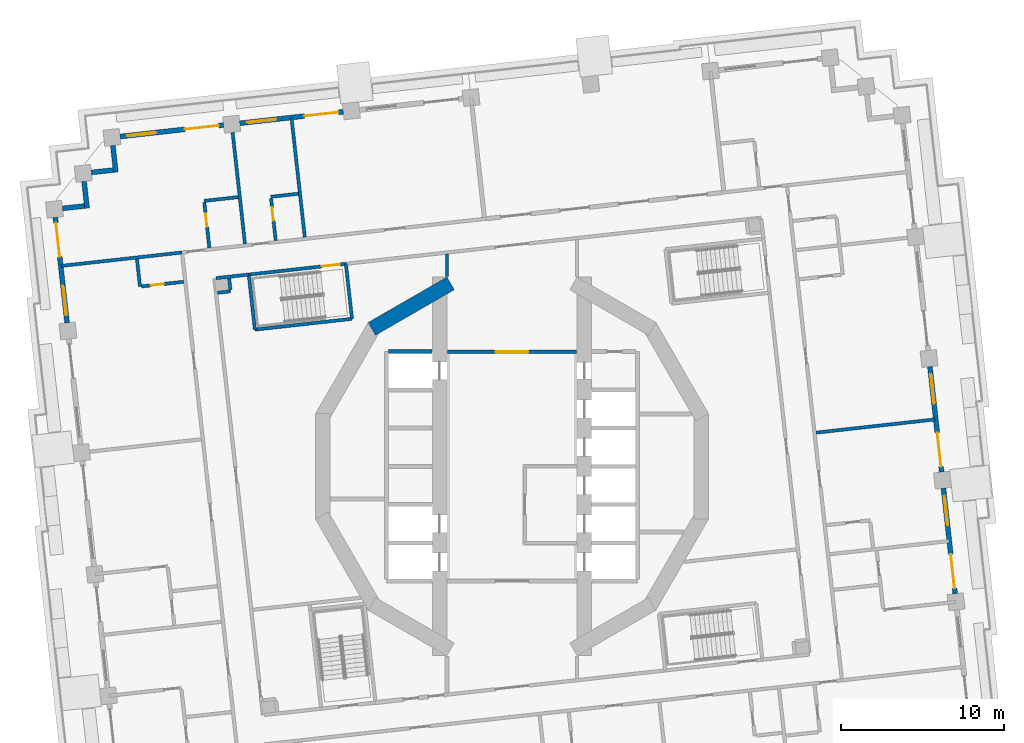
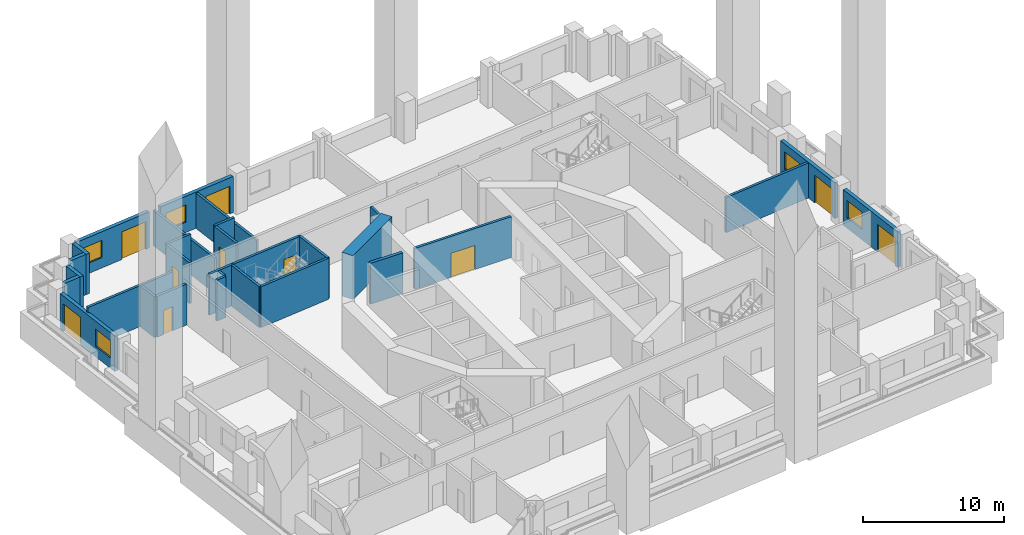
# One storey, part 7 of 20: 30 walls, 10 doors, 5 windows, 15 openings.
"""IFC4 building model written with IfcOpenShell, lengths in metres."""

import ifcopenshell
import ifcopenshell.guid

model = None  # the IFC model being written
_history = None  # IfcOwnerHistory: only IFC2X3 demands one
_inside = {}  # id of a spatial element -> (the spatial element, [elements in it])
_under = {}  # id of a project, library or spatial element -> (it, [spatial elements below it])
_declared = {}  # id of a project -> (the project, [libraries it declares])
_typed = {}  # id of a type object -> (the type object, [elements of that type])
_made_of = {}  # id of a material, layer set ... -> (it, [elements and type objects made of it])


def new_model(schema):
    """Start an empty IFC model of exactly this schema.

    Asked for "IFC4X3", IfcOpenShell would pick the latest addendum, in which some entities
    have other attributes; the version numbers below select the first issue.
    IFC2X3 requires an IfcOwnerHistory on every rooted entity: one is made here for all.
    """
    global model, _history
    if schema == "IFC4X3":
        model = ifcopenshell.file(schema_version=(4, 3, 0, 0))
    else:
        model = ifcopenshell.file(schema=schema)
    _inside.clear()
    _under.clear()
    _declared.clear()
    _typed.clear()
    _made_of.clear()
    _history = None
    if model.schema == "IFC2X3":
        org = make("IfcOrganization", Name="unknown")
        user = make(
            "IfcPersonAndOrganization",
            ThePerson=make("IfcPerson", FamilyName="unknown"),
            TheOrganization=org,
        )
        app = make(
            "IfcApplication",
            ApplicationDeveloper=org,
            Version="unknown",
            ApplicationFullName="unknown",
            ApplicationIdentifier="unknown",
        )
        _history = make(
            "IfcOwnerHistory",
            OwningUser=user,
            OwningApplication=app,
            ChangeAction="ADDED",
            CreationDate=0,
        )
    return model


def make(cls, **values):
    """One entity of the class cls with the attributes given. An attribute that is None is left unset."""
    return model.create_entity(
        cls, **{name: value for name, value in values.items() if value is not None}
    )


def rooted(cls, **values):
    """An entity with a GlobalId (a new one), such as an element, a storey or a relation."""
    return make(cls, GlobalId=ifcopenshell.guid.new(), OwnerHistory=_history, **values)


def si_unit(unit_type, name, prefix=None):
    """IfcSIUnit, for example si_unit("LENGTHUNIT", "METRE", prefix="MILLI")."""
    return make("IfcSIUnit", UnitType=unit_type, Prefix=prefix, Name=name)


def assignment(units):
    """IfcUnitAssignment: the units of a project."""
    return None if units is None else make("IfcUnitAssignment", Units=units)


def point(xyz):
    """IfcCartesianPoint."""
    return None if xyz is None else make("IfcCartesianPoint", Coordinates=xyz)


def direction(xyz):
    """IfcDirection."""
    return None if xyz is None else make("IfcDirection", DirectionRatios=xyz)


def frame(location, z_axis=None, x_axis=None):
    """IfcAxis2Placement3D, a coordinate frame: its origin and axes. An axis left out is left unset."""
    return make(
        "IfcAxis2Placement3D",
        Location=point(location),
        Axis=direction(z_axis),
        RefDirection=direction(x_axis),
    )


def frame_2d(location, x_axis=None):
    """IfcAxis2Placement2D, a coordinate frame in the plane: its origin and x axis."""
    return make(
        "IfcAxis2Placement2D", Location=point(location), RefDirection=direction(x_axis)
    )


def origin():
    """The frame at (0, 0, 0) with its axes left unset."""
    return frame((0.0, 0.0, 0.0))


def place(relative_to, where):
    """IfcLocalPlacement: puts the frame where relative to a parent placement (None: the world)."""
    return make(
        "IfcLocalPlacement", PlacementRelTo=relative_to, RelativePlacement=where
    )


def context(
    kind, dimensions, precision=None, world=None, true_north=None, identifier=None
):
    """IfcGeometricRepresentationContext, for example the 3D "Model" context."""
    return make(
        "IfcGeometricRepresentationContext",
        ContextIdentifier=identifier,
        ContextType=kind,
        CoordinateSpaceDimension=dimensions,
        Precision=precision,
        WorldCoordinateSystem=world,
        TrueNorth=true_north,
    )


def subcontext(parent, identifier, kind, view, scale=None):
    """IfcGeometricRepresentationSubContext, for example "Body" below "Model"."""
    return make(
        "IfcGeometricRepresentationSubContext",
        ContextIdentifier=identifier,
        ContextType=kind,
        ParentContext=parent,
        TargetScale=scale,
        TargetView=view,
    )


def project(units=None, contexts=None):
    """IfcProject with its units and contexts."""
    return rooted(
        "IfcProject",
        Name="project",
        RepresentationContexts=contexts,
        UnitsInContext=assignment(units),
    )


def spatial(cls, under=None, at=None, **own):
    """A site, building, storey or space (cls), placed at a placement, below another one or the project."""
    s = rooted(cls, ObjectPlacement=at, **own)
    if under is not None:
        _under.setdefault(under.id(), (under, []))[1].append(s)
    return s


def profile(cls, at=None, kind="AREA", **sizes):
    """A parametric profile (cls). Its sizes go by their IFC names, for example OverallWidth=200.0."""
    return make(cls, ProfileType=kind, Position=at, **sizes)


def rectangle(**sizes):
    """IfcRectangleProfileDef."""
    return profile("IfcRectangleProfileDef", **sizes)


def extrude(swept, where, along, depth):
    """IfcExtrudedAreaSolid: the profile swept, set in the frame where, extruded along a direction by depth."""
    return make(
        "IfcExtrudedAreaSolid",
        SweptArea=swept,
        Position=where,
        ExtrudedDirection=direction(along),
        Depth=depth,
    )


def shape(context_of_items, identifier, shape_type, items):
    """IfcShapeRepresentation: the items that make up one representation, for example the "Body"."""
    return make(
        "IfcShapeRepresentation",
        ContextOfItems=context_of_items,
        RepresentationIdentifier=identifier,
        RepresentationType=shape_type,
        Items=items,
    )


def material(Name=None, Category=None):
    """IfcMaterial."""
    return make("IfcMaterial", Name=Name, Category=Category)


def layer(
    of_material, thickness, ventilated=None, Name=None, Category=None, Priority=None
):
    """IfcMaterialLayer: one layer of a wall or slab, of a material (None: an air gap)."""
    return make(
        "IfcMaterialLayer",
        Material=of_material,
        LayerThickness=thickness,
        IsVentilated=ventilated,
        Name=Name,
        Category=Category,
        Priority=Priority,
    )


def layer_set(layers, Name=None):
    """IfcMaterialLayerSet."""
    return make("IfcMaterialLayerSet", MaterialLayers=layers, LayerSetName=Name)


def made_of(thing, what):
    """Note that an element or type object is made of a material, layer set ...; save() writes the relation."""
    if what is not None:
        _made_of.setdefault(what.id(), (what, []))[1].append(thing)
    return thing


def type_object(cls, material=None, **own):
    """A type object (cls), such as IfcWallType, which elements share."""
    return made_of(rooted(cls, **own), material)


def element(
    cls,
    number,
    at=None,
    inside=None,
    cuts=None,
    type_object=None,
    material=None,
    context=None,
    identifier="Body",
    shape_type=None,
    held_by="IfcProductDefinitionShape",
    body=None,
    shapes=None,
    **own,
):
    """One element of the class cls, such as IfcWall. Its Tag is "e" and its number.

    at: its placement. inside: the storey or other place that contains it. cuts: it is an
    opening in that element (IfcRelVoidsElement). A single representation is given by context,
    identifier, shape_type and body (its items); several are given by shapes. held_by: the class
    of the entity that holds the representations. save() writes the other relations.
    """
    e = rooted(cls, Tag="e%d" % number, ObjectPlacement=at, **own)
    if body is not None:
        shapes = [shape(context, identifier, shape_type, body)]
    if shapes is not None:
        e.Representation = make(held_by, Representations=shapes)
    if inside is not None:
        _inside.setdefault(inside.id(), (inside, []))[1].append(e)
    if cuts is not None:
        rooted(
            "IfcRelVoidsElement", RelatingBuildingElement=cuts, RelatedOpeningElement=e
        )
    if type_object is not None:
        _typed.setdefault(type_object.id(), (type_object, []))[1].append(e)
    return made_of(e, material)


def fill(opening, filler):
    """IfcRelFillsElement: the door or window that sits in an opening."""
    return rooted(
        "IfcRelFillsElement",
        RelatingOpeningElement=opening,
        RelatedBuildingElement=filler,
    )


def aggregate(whole, parts):
    """IfcRelAggregates: a whole, such as a stair, and the parts it consists of."""
    return rooted("IfcRelAggregates", RelatingObject=whole, RelatedObjects=parts)


def save(model, path):
    """Write the relations noted so far, then the file.

    IfcRelAggregates (storeys below a building ...), IfcRelContainedInSpatialStructure (elements
    in a storey), IfcRelDefinesByType, IfcRelAssociatesMaterial and IfcRelDeclares: one each for
    every whole, place, type object, material and project.
    """
    for whole, parts in _under.values():
        aggregate(whole, parts)
    for where, things in _inside.values():
        rooted(
            "IfcRelContainedInSpatialStructure",
            RelatedElements=things,
            RelatingStructure=where,
        )
    for kind, things in _typed.values():
        rooted("IfcRelDefinesByType", RelatedObjects=things, RelatingType=kind)
    for what, things in _made_of.values():
        rooted("IfcRelAssociatesMaterial", RelatedObjects=things, RelatingMaterial=what)
    for by, libraries in _declared.values():
        rooted("IfcRelDeclares", RelatingContext=by, RelatedDefinitions=libraries)
    model.write(path)


model = new_model("IFC4")

# Units and contexts
model_context = context("Model", 3, precision=1e-05, world=origin(), true_north=direction((0.0, 1.0)))
body_context = subcontext(model_context, "Body", "Model", "MODEL_VIEW")
ifc_project = project(units=[si_unit("LENGTHUNIT", "METRE"), si_unit("AREAUNIT", "SQUARE_METRE"), si_unit("VOLUMEUNIT", "CUBIC_METRE"), si_unit("PLANEANGLEUNIT", "RADIAN"), si_unit("MASSUNIT", "GRAM", prefix="KILO")], contexts=[model_context])

# Site, building, storey
site_placement = place(None, origin())
site = spatial("IfcSite", under=ifc_project, at=site_placement, CompositionType="ELEMENT")
building_placement = place(site_placement, origin())
building = spatial("IfcBuilding", under=site, at=building_placement, Name="Cantera Rosa Tower", CompositionType="ELEMENT")
storey_placement = place(building_placement, frame((0.0, 0.0, 42.5)))
storey = spatial("IfcBuildingStorey", under=building, at=storey_placement, Name="L07", CompositionType="ELEMENT", Elevation=42.5)

# Walls
ifc_material_1 = material(Name="Gypsum board partition")
ifc_layer_1 = layer(ifc_material_1, 0.199951171875)
ifc_layer_set_1 = layer_set([ifc_layer_1], Name="CORRIDOR WALL 200 H3550")
wall_type_1 = type_object("IfcWallType", Name="CORRIDOR WALL 200 H3550", PredefinedType="PARTITIONING", material=ifc_layer_set_1)
wall_1_placement = place(storey_placement, frame((-16.172607421875, 11.787841796875, 0.0), z_axis=(0.0, 0.0, 1.0), x_axis=(-0.993905752705, -0.110233183482, 0.0)))
element("IfcWall", 1, at=wall_1_placement, inside=storey, type_object=wall_type_1, Name="CORRIDOR WALL L07-021", PredefinedType="PARTITIONING", context=body_context, shape_type="SweptSolid", body=[
    extrude(rectangle(XDim=2.026611328125, YDim=0.199951171875, at=frame_2d((1.01318359375, 0.0))), origin(), (0.0, 0.0, 1.0), 3.550048828125),
])
wall_2_placement = place(storey_placement, frame((-4.0, 13.038818359375, 0.0), z_axis=(0.0, 0.0, 1.0), x_axis=(0.0, -1.0, 0.0)))
element("IfcWall", 2, at=wall_2_placement, inside=storey, type_object=wall_type_1, Name="CORRIDOR WALL L07-053", PredefinedType="PARTITIONING", context=body_context, shape_type="SweptSolid", body=[
    extrude(rectangle(XDim=1.37158203125, YDim=0.199951171875, at=frame_2d((0.685791015625, 0.0))), origin(), (0.0, 0.0, 1.0), 3.550048828125),
])

# Wall, opening, door
wall_3_placement = place(storey_placement, frame((-3.969970703125, 7.050048828125, 0.0), z_axis=(0.0, 0.0, 1.0), x_axis=(1.0, 0.0, 0.0)))
wall_3 = element("IfcWall", 3, at=wall_3_placement, inside=storey, type_object=wall_type_1, Name="CORRIDOR WALL L07-054", PredefinedType="PARTITIONING", context=body_context, shape_type="SweptSolid", body=[
    extrude(rectangle(XDim=7.93994140625, YDim=0.199951171875, at=frame_2d((3.969970703125, 0.0))), origin(), (0.0, 0.0, 1.0), 3.550048828125),
])
opening_1_placement = place(wall_3_placement, frame((2.969970703125, 0.0, 0.0)))
opening_1 = element("IfcOpeningElement", 4, at=opening_1_placement, cuts=wall_3, Name="Opening L07-011", PredefinedType="OPENING", context=body_context, shape_type="SweptSolid", body=[
    extrude(rectangle(XDim=2.0, YDim=2.10009765625, at=frame_2d((1.0, 1.050048828125))), frame((0.0, 0.10986328125, 0.0), z_axis=(0.0, -1.0, 0.0), x_axis=(1.0, 0.0, 0.0)), (0.0, 0.0, 1.0), 0.219970703125),
])
ifc_material_2 = material(Name="Steel S355J2 (EN 10025-2)", Category="steel")
door_type_1 = type_object("IfcDoorType", Name="LOBBY SCREEN DOOR 2000x2100", OperationType="NOTDEFINED", PredefinedType="DOOR", material=ifc_material_2)
door_1_placement = place(opening_1_placement, origin())
door_1 = element("IfcDoor", 5, at=door_1_placement, inside=storey, type_object=door_type_1, Name="DOOR L07-011", OperationType="NOTDEFINED", OverallHeight=2.10009765625, OverallWidth=2.0, PredefinedType="DOOR", context=body_context, shape_type="SweptSolid", body=[
    extrude(rectangle(XDim=2.0, YDim=2.10009765625, at=frame_2d((1.0, 1.050048828125))), frame((0.0, 0.02490234375, 0.0), z_axis=(0.0, -1.0, 0.0), x_axis=(1.0, 0.0, 0.0)), (0.0, 0.0, 1.0), 0.050048828125),
])
fill(opening_1, door_1)

# Walls
ifc_material_3 = material(Name="Hollow clay masonry with cantera stone cladding", Category="masonry")
ifc_layer_2 = layer(ifc_material_3, 0.300048828125)
ifc_layer_set_2 = layer_set([ifc_layer_2], Name="EW-LOGGIA 300")
wall_type_2 = type_object("IfcWallType", Name="EW-LOGGIA 300", PredefinedType="SOLIDWALL", material=ifc_layer_set_2)
wall_4_placement = place(storey_placement, frame((-24.5244140625, 19.71484375, 0.0), z_axis=(0.0, 0.0, 1.0), x_axis=(0.110236638423, -0.993905369514, 0.0)))
element("IfcWall", 6, at=wall_4_placement, inside=storey, type_object=wall_type_2, Name="EN-L07-W14a", PredefinedType="SOLIDWALL", context=body_context, shape_type="SweptSolid", body=[
    extrude(rectangle(XDim=1.64990234375, YDim=0.300048828125, at=frame_2d((0.824951171875, 0.0))), origin(), (0.0, 0.0, 1.0), 3.5),
])
wall_5_placement = place(storey_placement, frame((-24.508056640625, 18.20751953125, 0.0), z_axis=(0.0, 0.0, 1.0), x_axis=(-0.993896959738, -0.110312435488, 0.0)))
element("IfcWall", 7, at=wall_5_placement, inside=storey, type_object=wall_type_2, Name="EN-L07-W14b", PredefinedType="SOLIDWALL", context=body_context, shape_type="SweptSolid", body=[
    extrude(rectangle(XDim=1.35009765625, YDim=0.300048828125, at=frame_2d((0.675048828125, 0.0))), origin(), (0.0, 0.0, 1.0), 3.5),
])
wall_6_placement = place(storey_placement, frame((-26.291748046875, 17.506591796875, 0.0), z_axis=(0.0, 0.0, 1.0), x_axis=(0.110382805355, -0.993889146878, 0.0)))
element("IfcWall", 8, at=wall_6_placement, inside=storey, type_object=wall_type_2, Name="EN-L07-W15a", PredefinedType="SOLIDWALL", context=body_context, shape_type="SweptSolid", body=[
    extrude(rectangle(XDim=1.64990234375, YDim=0.300048828125, at=frame_2d((0.824951171875, 0.0))), origin(), (0.0, 0.0, 1.0), 3.5),
])
wall_7_placement = place(storey_placement, frame((-26.275146484375, 15.999267578125, 0.0), z_axis=(0.0, 0.0, 1.0), x_axis=(-0.993896959738, -0.110312435488, 0.0)))
element("IfcWall", 9, at=wall_7_placement, inside=storey, type_object=wall_type_2, Name="EN-L07-W15b", PredefinedType="SOLIDWALL", context=body_context, shape_type="SweptSolid", body=[
    extrude(rectangle(XDim=1.35009765625, YDim=0.300048828125, at=frame_2d((0.675048828125, 0.0))), origin(), (0.0, 0.0, 1.0), 3.5),
])

# Wall, openings, window, door
ifc_material_4 = material(Name="Hollow clay masonry with cantera stone cladding", Category="masonry")
ifc_layer_3 = layer(ifc_material_4, 0.300048828125)
ifc_layer_set_3 = layer_set([ifc_layer_3], Name="EW-LOGGIA 300 H3090")
wall_type_3 = type_object("IfcWallType", Name="EW-LOGGIA 300 H3090", PredefinedType="SOLIDWALL", material=ifc_layer_set_3)
wall_8_placement = place(storey_placement, frame((27.229248046875, -7.823974609375, 0.0), z_axis=(0.0, 0.0, 1.0), x_axis=(-0.110312341265, 0.993896970196, 0.0)))
wall_8 = element("IfcWall", 10, at=wall_8_placement, inside=storey, type_object=wall_type_3, Name="EN-L07-W02", PredefinedType="SOLIDWALL", context=body_context, shape_type="SweptSolid", body=[
    extrude(rectangle(XDim=6.52001953125, YDim=0.300048828125, at=frame_2d((3.260009765625, 0.0))), origin(), (0.0, 0.0, 1.0), 3.090087890625),
])
opening_2_placement = place(wall_8_placement, frame((0.330078125, 0.0, 0.0)))
opening_2 = element("IfcOpeningElement", 11, at=opening_2_placement, cuts=wall_8, Name="Opening L07-TD03", PredefinedType="OPENING", context=body_context, shape_type="SweptSolid", body=[
    extrude(rectangle(XDim=2.10009765625, YDim=2.39990234375, at=frame_2d((1.050048828125, 1.199951171875))), frame((0.0, 0.159912109375, 0.0), z_axis=(0.0, -1.0, 0.0), x_axis=(1.0, 0.0, 0.0)), (0.0, 0.0, 1.0), 0.320068359375),
])
opening_3_placement = place(wall_8_placement, frame((4.239990234375, 0.0, 0.89990234375)))
opening_3 = element("IfcOpeningElement", 12, at=opening_3_placement, cuts=wall_8, Name="Opening L07-W04", PredefinedType="OPENING", context=body_context, shape_type="SweptSolid", body=[
    extrude(rectangle(XDim=1.800048828125, YDim=1.5, at=frame_2d((0.89990234375, 0.75))), frame((0.0, 0.159912109375, 0.0), z_axis=(0.0, -1.0, 0.0), x_axis=(1.0, 0.0, 0.0)), (0.0, 0.0, 1.0), 0.320068359375),
])
ifc_material_5 = material(Name="Aluminium frame with clear glass", Category="aluminium")
window_type = type_object("IfcWindowType", Name="Hotel room window 1800x1500", PartitioningType="DOUBLE_PANEL_VERTICAL", PredefinedType="WINDOW", material=ifc_material_5)
window_1_placement = place(opening_3_placement, origin())
window_1 = element("IfcWindow", 13, at=window_1_placement, inside=storey, type_object=window_type, Name="WINDOW L07-W04", OverallHeight=1.5, OverallWidth=1.800048828125, PartitioningType="SINGLE_PANEL", PredefinedType="WINDOW", context=body_context, shape_type="SweptSolid", body=[
    extrude(rectangle(XDim=1.800048828125, YDim=1.5, at=frame_2d((0.89990234375, 0.75))), frame((0.0, 0.030029296875, 0.0), z_axis=(0.0, -1.0, 0.0), x_axis=(1.0, 0.0, 0.0)), (0.0, 0.0, 1.0), 0.06005859375),
])
fill(opening_3, window_1)
ifc_material_6 = material(Name="Aluminium frame with clear glass", Category="aluminium")
door_type_2 = type_object("IfcDoorType", Name="TD-H 2100x2400", OperationType="NOTDEFINED", PredefinedType="DOOR", material=ifc_material_6)
door_2_placement = place(opening_2_placement, origin())
door_2 = element("IfcDoor", 14, at=door_2_placement, inside=storey, type_object=door_type_2, Name="LOGGIA DOOR L07-TD03", OperationType="SLIDING_TO_LEFT", OverallHeight=2.39990234375, OverallWidth=2.10009765625, PredefinedType="DOOR", context=body_context, shape_type="SweptSolid", body=[
    extrude(rectangle(XDim=2.10009765625, YDim=2.39990234375, at=frame_2d((1.050048828125, 1.199951171875))), frame((0.0, 0.02490234375, 0.0), z_axis=(0.0, -1.0, 0.0), x_axis=(1.0, 0.0, 0.0)), (0.0, 0.0, 1.0), 0.050048828125),
])
fill(opening_2, door_2)

wall_9_placement = place(storey_placement, frame((26.399658203125, -0.349853515625, 0.0), z_axis=(0.0, 0.0, 1.0), x_axis=(-0.110312341265, 0.993896970196, 0.0)))
wall_9 = element("IfcWall", 15, at=wall_9_placement, inside=storey, type_object=wall_type_3, Name="EN-L07-W03", PredefinedType="SOLIDWALL", context=body_context, shape_type="SweptSolid", body=[
    extrude(rectangle(XDim=6.52001953125, YDim=0.300048828125, at=frame_2d((3.260009765625, 0.0))), origin(), (0.0, 0.0, 1.0), 3.090087890625),
])
opening_4_placement = place(wall_9_placement, frame((0.330078125, 0.0, 0.0)))
opening_4 = element("IfcOpeningElement", 16, at=opening_4_placement, cuts=wall_9, Name="Opening L07-TD05", PredefinedType="OPENING", context=body_context, shape_type="SweptSolid", body=[
    extrude(rectangle(XDim=2.10009765625, YDim=2.39990234375, at=frame_2d((1.050048828125, 1.199951171875))), frame((0.0, 0.159912109375, 0.0), z_axis=(0.0, -1.0, 0.0), x_axis=(1.0, 0.0, 0.0)), (0.0, 0.0, 1.0), 0.320068359375),
])
opening_5_placement = place(wall_9_placement, frame((4.239990234375, 0.0, 0.89990234375)))
opening_5 = element("IfcOpeningElement", 17, at=opening_5_placement, cuts=wall_9, Name="Opening L07-W06", PredefinedType="OPENING", context=body_context, shape_type="SweptSolid", body=[
    extrude(rectangle(XDim=1.800048828125, YDim=1.5, at=frame_2d((0.89990234375, 0.75))), frame((0.0, 0.159912109375, 0.0), z_axis=(0.0, -1.0, 0.0), x_axis=(1.0, 0.0, 0.0)), (0.0, 0.0, 1.0), 0.320068359375),
])
window_2_placement = place(opening_5_placement, origin())
window_2 = element("IfcWindow", 18, at=window_2_placement, inside=storey, type_object=window_type, Name="WINDOW L07-W06", OverallHeight=1.5, OverallWidth=1.800048828125, PartitioningType="SINGLE_PANEL", PredefinedType="WINDOW", context=body_context, shape_type="SweptSolid", body=[
    extrude(rectangle(XDim=1.800048828125, YDim=1.5, at=frame_2d((0.89990234375, 0.75))), frame((0.0, 0.030029296875, 0.0), z_axis=(0.0, -1.0, 0.0), x_axis=(1.0, 0.0, 0.0)), (0.0, 0.0, 1.0), 0.06005859375),
])
fill(opening_5, window_2)
door_3_placement = place(opening_4_placement, origin())
door_3 = element("IfcDoor", 19, at=door_3_placement, inside=storey, type_object=door_type_2, Name="LOGGIA DOOR L07-TD05", OperationType="SLIDING_TO_LEFT", OverallHeight=2.39990234375, OverallWidth=2.10009765625, PredefinedType="DOOR", context=body_context, shape_type="SweptSolid", body=[
    extrude(rectangle(XDim=2.10009765625, YDim=2.39990234375, at=frame_2d((1.050048828125, 1.199951171875))), frame((0.0, 0.02490234375, 0.0), z_axis=(0.0, -1.0, 0.0), x_axis=(1.0, 0.0, 0.0)), (0.0, 0.0, 1.0), 0.050048828125),
])
fill(opening_4, door_3)

wall_10_placement = place(storey_placement, frame((-28.058837890625, 15.298095703125, 0.0), z_axis=(0.0, 0.0, 1.0), x_axis=(0.110312341265, -0.993896970196, 0.0)))
wall_10 = element("IfcWall", 20, at=wall_10_placement, inside=storey, type_object=wall_type_3, Name="EN-L07-W16", PredefinedType="SOLIDWALL", context=body_context, shape_type="SweptSolid", body=[
    extrude(rectangle(XDim=6.52001953125, YDim=0.300048828125, at=frame_2d((3.260009765625, 0.0))), origin(), (0.0, 0.0, 1.0), 3.090087890625),
])
opening_6_placement = place(wall_10_placement, frame((0.330078125, 0.0, 0.0)))
opening_6 = element("IfcOpeningElement", 21, at=opening_6_placement, cuts=wall_10, Name="Opening L07-TD19", PredefinedType="OPENING", context=body_context, shape_type="SweptSolid", body=[
    extrude(rectangle(XDim=2.10009765625, YDim=2.39990234375, at=frame_2d((1.050048828125, 1.199951171875))), frame((0.0, 0.159912109375, 0.0), z_axis=(0.0, -1.0, 0.0), x_axis=(1.0, 0.0, 0.0)), (0.0, 0.0, 1.0), 0.320068359375),
])
opening_7_placement = place(wall_10_placement, frame((4.239990234375, 0.0, 0.89990234375)))
opening_7 = element("IfcOpeningElement", 22, at=opening_7_placement, cuts=wall_10, Name="Opening L07-W20", PredefinedType="OPENING", context=body_context, shape_type="SweptSolid", body=[
    extrude(rectangle(XDim=1.800048828125, YDim=1.5, at=frame_2d((0.89990234375, 0.75))), frame((0.0, 0.159912109375, 0.0), z_axis=(0.0, -1.0, 0.0), x_axis=(1.0, 0.0, 0.0)), (0.0, 0.0, 1.0), 0.320068359375),
])
window_3_placement = place(opening_7_placement, origin())
window_3 = element("IfcWindow", 23, at=window_3_placement, inside=storey, type_object=window_type, Name="WINDOW L07-W20", OverallHeight=1.5, OverallWidth=1.800048828125, PartitioningType="SINGLE_PANEL", PredefinedType="WINDOW", context=body_context, shape_type="SweptSolid", body=[
    extrude(rectangle(XDim=1.800048828125, YDim=1.5, at=frame_2d((0.89990234375, 0.75))), frame((0.0, 0.030029296875, 0.0), z_axis=(0.0, -1.0, 0.0), x_axis=(1.0, 0.0, 0.0)), (0.0, 0.0, 1.0), 0.06005859375),
])
fill(opening_7, window_3)
door_4_placement = place(opening_6_placement, origin())
door_4 = element("IfcDoor", 24, at=door_4_placement, inside=storey, type_object=door_type_2, Name="LOGGIA DOOR L07-TD19", OperationType="SLIDING_TO_LEFT", OverallHeight=2.39990234375, OverallWidth=2.10009765625, PredefinedType="DOOR", context=body_context, shape_type="SweptSolid", body=[
    extrude(rectangle(XDim=2.10009765625, YDim=2.39990234375, at=frame_2d((1.050048828125, 1.199951171875))), frame((0.0, 0.02490234375, 0.0), z_axis=(0.0, -1.0, 0.0), x_axis=(1.0, 0.0, 0.0)), (0.0, 0.0, 1.0), 0.050048828125),
])
fill(opening_6, door_4)

ifc_material_7 = material(Name="Hollow clay masonry with cantera stone cladding", Category="masonry")
ifc_layer_4 = layer(ifc_material_7, 0.300048828125)
ifc_layer_set_4 = layer_set([ifc_layer_4], Name="EW-LOGGIA 300 H3140")
wall_type_4 = type_object("IfcWallType", Name="EW-LOGGIA 300 H3140", PredefinedType="SOLIDWALL", material=ifc_layer_set_4)
wall_11_placement = place(storey_placement, frame((-10.366943359375, 21.789306640625, 0.0), z_axis=(0.0, 0.0, 1.0), x_axis=(-0.993900006422, -0.110284981906, 0.0)))
wall_11 = element("IfcWall", 25, at=wall_11_placement, inside=storey, type_object=wall_type_4, Name="EN-L07-W12", PredefinedType="SOLIDWALL", context=body_context, shape_type="SweptSolid", body=[
    extrude(rectangle(XDim=6.39990234375, YDim=0.300048828125, at=frame_2d((3.199951171875, 0.0))), origin(), (0.0, 0.0, 1.0), 3.139892578125),
])
opening_8_placement = place(wall_11_placement, frame((0.300048828125, 0.0, 0.0)))
opening_8 = element("IfcOpeningElement", 26, at=opening_8_placement, cuts=wall_11, Name="Opening L07-TD15", PredefinedType="OPENING", context=body_context, shape_type="SweptSolid", body=[
    extrude(rectangle(XDim=2.10009765625, YDim=2.39990234375, at=frame_2d((1.050048828125, 1.199951171875))), frame((0.0, 0.159912109375, 0.0), z_axis=(0.0, -1.0, 0.0), x_axis=(1.0, 0.0, 0.0)), (0.0, 0.0, 1.0), 0.320068359375),
])
opening_9_placement = place(wall_11_placement, frame((4.14990234375, 0.0, 0.89990234375)))
opening_9 = element("IfcOpeningElement", 27, at=opening_9_placement, cuts=wall_11, Name="Opening L07-W16", PredefinedType="OPENING", context=body_context, shape_type="SweptSolid", body=[
    extrude(rectangle(XDim=1.800048828125, YDim=1.5, at=frame_2d((0.89990234375, 0.75))), frame((0.0, 0.159912109375, 0.0), z_axis=(0.0, -1.0, 0.0), x_axis=(1.0, 0.0, 0.0)), (0.0, 0.0, 1.0), 0.320068359375),
])
window_4_placement = place(opening_9_placement, origin())
window_4 = element("IfcWindow", 28, at=window_4_placement, inside=storey, type_object=window_type, Name="WINDOW L07-W16", OverallHeight=1.5, OverallWidth=1.800048828125, PartitioningType="SINGLE_PANEL", PredefinedType="WINDOW", context=body_context, shape_type="SweptSolid", body=[
    extrude(rectangle(XDim=1.800048828125, YDim=1.5, at=frame_2d((0.89990234375, 0.75))), frame((0.0, 0.030029296875, 0.0), z_axis=(0.0, -1.0, 0.0), x_axis=(1.0, 0.0, 0.0)), (0.0, 0.0, 1.0), 0.06005859375),
])
fill(opening_9, window_4)
door_5_placement = place(opening_8_placement, origin())
door_5 = element("IfcDoor", 29, at=door_5_placement, inside=storey, type_object=door_type_2, Name="LOGGIA DOOR L07-TD15", OperationType="SLIDING_TO_LEFT", OverallHeight=2.39990234375, OverallWidth=2.10009765625, PredefinedType="DOOR", context=body_context, shape_type="SweptSolid", body=[
    extrude(rectangle(XDim=2.10009765625, YDim=2.39990234375, at=frame_2d((1.050048828125, 1.199951171875))), frame((0.0, 0.02490234375, 0.0), z_axis=(0.0, -1.0, 0.0), x_axis=(1.0, 0.0, 0.0)), (0.0, 0.0, 1.0), 0.050048828125),
])
fill(opening_8, door_5)

wall_12_placement = place(storey_placement, frame((-17.7216796875, 20.97314453125, 0.0), z_axis=(0.0, 0.0, 1.0), x_axis=(-0.993896288542, -0.110318482689, 0.0)))
wall_12 = element("IfcWall", 30, at=wall_12_placement, inside=storey, type_object=wall_type_4, Name="EN-L07-W13", PredefinedType="SOLIDWALL", context=body_context, shape_type="SweptSolid", body=[
    extrude(rectangle(XDim=6.400146484375, YDim=0.300048828125, at=frame_2d((3.2001953125, 0.0))), origin(), (0.0, 0.0, 1.0), 3.139892578125),
])
opening_10_placement = place(wall_12_placement, frame((0.300048828125, 0.0, 0.0)))
opening_10 = element("IfcOpeningElement", 31, at=opening_10_placement, cuts=wall_12, Name="Opening L07-TD17", PredefinedType="OPENING", context=body_context, shape_type="SweptSolid", body=[
    extrude(rectangle(XDim=2.10009765625, YDim=2.39990234375, at=frame_2d((1.050048828125, 1.199951171875))), frame((0.0, 0.159912109375, 0.0), z_axis=(0.0, -1.0, 0.0), x_axis=(1.0, 0.0, 0.0)), (0.0, 0.0, 1.0), 0.320068359375),
])
opening_11_placement = place(wall_12_placement, frame((4.14990234375, 0.0, 0.89990234375)))
opening_11 = element("IfcOpeningElement", 32, at=opening_11_placement, cuts=wall_12, Name="Opening L07-W18", PredefinedType="OPENING", context=body_context, shape_type="SweptSolid", body=[
    extrude(rectangle(XDim=1.800048828125, YDim=1.5, at=frame_2d((0.89990234375, 0.75))), frame((0.0, 0.159912109375, 0.0), z_axis=(0.0, -1.0, 0.0), x_axis=(1.0, 0.0, 0.0)), (0.0, 0.0, 1.0), 0.320068359375),
])
window_5_placement = place(opening_11_placement, origin())
window_5 = element("IfcWindow", 33, at=window_5_placement, inside=storey, type_object=window_type, Name="WINDOW L07-W18", OverallHeight=1.5, OverallWidth=1.800048828125, PartitioningType="SINGLE_PANEL", PredefinedType="WINDOW", context=body_context, shape_type="SweptSolid", body=[
    extrude(rectangle(XDim=1.800048828125, YDim=1.5, at=frame_2d((0.89990234375, 0.75))), frame((0.0, 0.030029296875, 0.0), z_axis=(0.0, -1.0, 0.0), x_axis=(1.0, 0.0, 0.0)), (0.0, 0.0, 1.0), 0.06005859375),
])
fill(opening_11, window_5)
door_6_placement = place(opening_10_placement, origin())
door_6 = element("IfcDoor", 34, at=door_6_placement, inside=storey, type_object=door_type_2, Name="LOGGIA DOOR L07-TD17", OperationType="SLIDING_TO_LEFT", OverallHeight=2.39990234375, OverallWidth=2.10009765625, PredefinedType="DOOR", context=body_context, shape_type="SweptSolid", body=[
    extrude(rectangle(XDim=2.10009765625, YDim=2.39990234375, at=frame_2d((1.050048828125, 1.199951171875))), frame((0.0, 0.02490234375, 0.0), z_axis=(0.0, -1.0, 0.0), x_axis=(1.0, 0.0, 0.0)), (0.0, 0.0, 1.0), 0.050048828125),
])
fill(opening_10, door_6)

# Wall
ifc_material_8 = material(Name="Gypsum board partition")
ifc_layer_5 = layer(ifc_material_8, 0.199951171875)
ifc_layer_set_5 = layer_set([ifc_layer_5], Name="PARTITION 200 H3550")
wall_type_5 = type_object("IfcWallType", Name="PARTITION 200 H3550", PredefinedType="PARTITIONING", material=ifc_layer_set_5)
wall_13_placement = place(storey_placement, frame((-22.85791015625, 11.0458984375, 0.0), z_axis=(0.0, 0.0, 1.0), x_axis=(-0.110289669906, 0.993899486222, 0.0)))
element("IfcWall", 35, at=wall_13_placement, inside=storey, type_object=wall_type_5, Name="PARTITION L07-004", PredefinedType="PARTITIONING", context=body_context, shape_type="SweptSolid", body=[
    extrude(rectangle(XDim=1.699951171875, YDim=0.199951171875, at=frame_2d((0.85009765625, 0.0))), origin(), (0.0, 0.0, 1.0), 3.550048828125),
])

# Wall, opening, door
wall_14_placement = place(storey_placement, frame((-20.174560546875, 11.34375, 0.0), z_axis=(0.0, 0.0, 1.0), x_axis=(-0.993894037028, -0.110338765449, 0.0)))
wall_14 = element("IfcWall", 36, at=wall_14_placement, inside=storey, type_object=wall_type_5, Name="PARTITION L07-011", PredefinedType="PARTITIONING", context=body_context, shape_type="SweptSolid", body=[
    extrude(rectangle(XDim=2.599853515625, YDim=0.199951171875, at=frame_2d((1.2998046875, 0.0))), origin(), (0.0, 0.0, 1.0), 3.550048828125),
])
opening_12_placement = place(wall_14_placement, frame((1.236083984375, 0.0, 0.0)))
opening_12 = element("IfcOpeningElement", 37, at=opening_12_placement, cuts=wall_14, Name="Opening L07-036", PredefinedType="OPENING", context=body_context, shape_type="SweptSolid", body=[
    extrude(rectangle(XDim=0.800048828125, YDim=2.10009765625, at=frame_2d((0.39990234375, 1.050048828125))), frame((0.0, 0.10986328125, 0.0), z_axis=(0.0, -1.0, 0.0), x_axis=(1.0, 0.0, 0.0)), (0.0, 0.0, 1.0), 0.219970703125),
])
ifc_material_9 = material(Name="Timber door leaf", Category="wood")
door_type_3 = type_object("IfcDoorType", Name="BATHROOM DOOR 800x2100", OperationType="NOTDEFINED", PredefinedType="DOOR", material=ifc_material_9)
door_7_placement = place(opening_12_placement, origin())
door_7 = element("IfcDoor", 38, at=door_7_placement, inside=storey, type_object=door_type_3, Name="DOOR L07-036", OperationType="NOTDEFINED", OverallHeight=2.10009765625, OverallWidth=0.800048828125, PredefinedType="DOOR", context=body_context, shape_type="SweptSolid", body=[
    extrude(rectangle(XDim=0.800048828125, YDim=2.10009765625, at=frame_2d((0.39990234375, 1.050048828125))), frame((0.0, 0.02490234375, 0.0), z_axis=(0.0, -1.0, 0.0), x_axis=(1.0, 0.0, 0.0)), (0.0, 0.0, 1.0), 0.050048828125),
])
fill(opening_12, door_7)

# Wall
wall_15_placement = place(storey_placement, frame((-18.9150390625, 16.31298828125, 0.0), z_axis=(0.0, 0.0, 1.0), x_axis=(0.993895071737, 0.11032944474, 0.0)))
element("IfcWall", 39, at=wall_15_placement, inside=storey, type_object=wall_type_5, Name="PARTITION L07-013", PredefinedType="PARTITIONING", context=body_context, shape_type="SweptSolid", body=[
    extrude(rectangle(XDim=2.10009765625, YDim=0.199951171875, at=frame_2d((1.050048828125, 0.0))), origin(), (0.0, 0.0, 1.0), 3.550048828125),
])

# Wall, opening, door
wall_16_placement = place(storey_placement, frame((-18.59521484375, 13.4306640625, 0.0), z_axis=(0.0, 0.0, 1.0), x_axis=(-0.11021141528, 0.993908166755, 0.0)))
wall_16 = element("IfcWall", 40, at=wall_16_placement, inside=storey, type_object=wall_type_5, Name="PARTITION L07-014", PredefinedType="PARTITIONING", context=body_context, shape_type="SweptSolid", body=[
    extrude(rectangle(XDim=2.800048828125, YDim=0.199951171875, at=frame_2d((1.39990234375, 0.0))), origin(), (0.0, 0.0, 1.0), 3.550048828125),
])
opening_13_placement = place(wall_16_placement, frame((1.300048828125, 0.0, 0.0)))
opening_13 = element("IfcOpeningElement", 41, at=opening_13_placement, cuts=wall_16, Name="Opening L07-031", PredefinedType="OPENING", context=body_context, shape_type="SweptSolid", body=[
    extrude(rectangle(XDim=0.800048828125, YDim=2.10009765625, at=frame_2d((0.39990234375, 1.050048828125))), frame((0.0, 0.10986328125, 0.0), z_axis=(0.0, -1.0, 0.0), x_axis=(1.0, 0.0, 0.0)), (0.0, 0.0, 1.0), 0.219970703125),
])
door_8_placement = place(opening_13_placement, origin())
door_8 = element("IfcDoor", 42, at=door_8_placement, inside=storey, type_object=door_type_3, Name="DOOR L07-031", OperationType="NOTDEFINED", OverallHeight=2.10009765625, OverallWidth=0.800048828125, PredefinedType="DOOR", context=body_context, shape_type="SweptSolid", body=[
    extrude(rectangle(XDim=0.800048828125, YDim=2.10009765625, at=frame_2d((0.39990234375, 1.050048828125))), frame((0.0, 0.02490234375, 0.0), z_axis=(0.0, -1.0, 0.0), x_axis=(1.0, 0.0, 0.0)), (0.0, 0.0, 1.0), 0.050048828125),
])
fill(opening_13, door_8)

# Walls
wall_17_placement = place(storey_placement, frame((-18.08740234375, 10.669921875, 0.0), z_axis=(0.0, 0.0, 1.0), x_axis=(0.993913470482, 0.110163574714, 0.0)))
element("IfcWall", 43, at=wall_17_placement, inside=storey, type_object=wall_type_5, Name="PARTITION L07-016", PredefinedType="PARTITIONING", context=body_context, shape_type="SweptSolid", body=[
    extrude(rectangle(XDim=0.800048828125, YDim=0.199951171875, at=frame_2d((0.39990234375, 0.0))), origin(), (0.0, 0.0, 1.0), 3.550048828125),
])
wall_18_placement = place(storey_placement, frame((-17.30322265625, 10.857421875, 0.0), z_axis=(0.0, 0.0, 1.0), x_axis=(-0.110546349969, 0.993870969748, 0.0)))
element("IfcWall", 44, at=wall_18_placement, inside=storey, type_object=wall_type_5, Name="PARTITION L07-018", PredefinedType="PARTITIONING", context=body_context, shape_type="SweptSolid", body=[
    extrude(rectangle(XDim=0.7001953125, YDim=0.199951171875, at=frame_2d((0.35009765625, 0.0))), origin(), (0.0, 0.0, 1.0), 3.550048828125),
])
wall_19_placement = place(storey_placement, frame((-14.81787109375, 16.56640625, 0.0), z_axis=(0.0, 0.0, 1.0), x_axis=(0.993897739047, 0.110305413813, 0.0)))
element("IfcWall", 45, at=wall_19_placement, inside=storey, type_object=wall_type_5, Name="PARTITION L07-026", PredefinedType="PARTITIONING", context=body_context, shape_type="SweptSolid", body=[
    extrude(rectangle(XDim=1.69970703125, YDim=0.199951171875, at=frame_2d((0.849853515625, 0.0))), origin(), (0.0, 0.0, 1.0), 3.550048828125),
])

# Wall, opening, door
wall_20_placement = place(storey_placement, frame((-14.52001953125, 13.883056640625, 0.0), z_axis=(0.0, 0.0, 1.0), x_axis=(-0.110338765449, 0.993894037028, 0.0)))
wall_20 = element("IfcWall", 46, at=wall_20_placement, inside=storey, type_object=wall_type_5, Name="PARTITION L07-028", PredefinedType="PARTITIONING", context=body_context, shape_type="SweptSolid", body=[
    extrude(rectangle(XDim=2.599853515625, YDim=0.199951171875, at=frame_2d((1.2998046875, 0.0))), origin(), (0.0, 0.0, 1.0), 3.550048828125),
])
opening_14_placement = place(wall_20_placement, frame((1.236083984375, 0.0, 0.0)))
opening_14 = element("IfcOpeningElement", 47, at=opening_14_placement, cuts=wall_20, Name="Opening L07-027", PredefinedType="OPENING", context=body_context, shape_type="SweptSolid", body=[
    extrude(rectangle(XDim=0.800048828125, YDim=2.10009765625, at=frame_2d((0.39990234375, 1.050048828125))), frame((0.0, 0.10986328125, 0.0), z_axis=(0.0, -1.0, 0.0), x_axis=(1.0, 0.0, 0.0)), (0.0, 0.0, 1.0), 0.219970703125),
])
door_9_placement = place(opening_14_placement, origin())
door_9 = element("IfcDoor", 48, at=door_9_placement, inside=storey, type_object=door_type_3, Name="DOOR L07-027", OperationType="NOTDEFINED", OverallHeight=2.10009765625, OverallWidth=0.800048828125, PredefinedType="DOOR", context=body_context, shape_type="SweptSolid", body=[
    extrude(rectangle(XDim=0.800048828125, YDim=2.10009765625, at=frame_2d((0.39990234375, 1.050048828125))), frame((0.0, 0.02490234375, 0.0), z_axis=(0.0, -1.0, 0.0), x_axis=(1.0, 0.0, 0.0)), (0.0, 0.0, 1.0), 0.050048828125),
])
fill(opening_14, door_9)

# Walls
ifc_material_10 = material(Name="Gypsum board partition")
ifc_layer_6 = layer(ifc_material_10, 0.199951171875)
ifc_layer_set_6 = layer_set([ifc_layer_6], Name="PARTY WALL 200 H3050")
wall_type_6 = type_object("IfcWallType", Name="PARTY WALL 200 H3050", PredefinedType="PARTITIONING", material=ifc_layer_set_6)
for number, where, z_axis, x_axis, name in (
    (49, (-16.408447265625, 13.67333984375, 0.0), (0.0, 0.0, 1.0), (-0.11031154238, 0.993897058864, 0.0), "PARTY WALL L07-020"),
    (50, (-12.731201171875, 14.08154296875, 0.0), (0.0, 0.0, 1.0), (-0.11031154238, 0.993897058864, 0.0), "PARTY WALL L07-030"),
    (51, (18.685302734375, 2.073974609375, 0.0), (0.0, 0.0, 1.0), (0.993897058864, 0.11031154238, 0.0), "PARTY WALL L07-105"),
):
    element("IfcWall", number, at=place(storey_placement, frame(where, z_axis=z_axis, x_axis=x_axis)), inside=storey, type_object=wall_type_6, Name=name, PredefinedType="PARTITIONING", context=body_context, shape_type="SweptSolid", body=[
        extrude(rectangle(XDim=7.369873046875, YDim=0.199951171875, at=frame_2d((3.68505859375, 0.0))), origin(), (0.0, 0.0, 1.0), 3.050048828125),
    ])
ifc_material_11 = material(Name="Gypsum board partition")
ifc_layer_7 = layer(ifc_material_11, 0.199951171875)
ifc_layer_set_7 = layer_set([ifc_layer_7], Name="PARTY WALL 200 H3550")
wall_type_7 = type_object("IfcWallType", Name="PARTY WALL 200 H3550", PredefinedType="PARTITIONING", material=ifc_layer_set_7)
wall_21_placement = place(storey_placement, frame((-20.273681640625, 13.143798828125, 0.0), z_axis=(0.0, 0.0, 1.0), x_axis=(-0.993894093242, -0.110338259085, 0.0)))
element("IfcWall", 52, at=wall_21_placement, inside=storey, type_object=wall_type_7, Name="PARTY WALL L07-008", PredefinedType="PARTITIONING", context=body_context, shape_type="SweptSolid", body=[
    extrude(rectangle(XDim=7.469970703125, YDim=0.199951171875, at=frame_2d((3.73486328125, 0.0))), origin(), (0.0, 0.0, 1.0), 3.550048828125),
])
ifc_material_12 = material(Name="Concrete C70/85", Category="concrete")
ifc_layer_8 = layer(ifc_material_12, 0.89990234375)
ifc_layer_set_8 = layer_set([ifc_layer_8], Name="RC CORE WALL 900 C70/85")
wall_type_8 = type_object("IfcWallType", Name="RC CORE WALL 900 C70/85", PredefinedType="SHEAR", material=ifc_layer_set_8)
wall_22_placement = place(storey_placement, frame((-8.61376953125, 8.44921875, 0.0), z_axis=(0.0, 0.0, 1.0), x_axis=(0.866026961591, 0.49999730179, 0.0)))
element("IfcWall", 53, at=wall_22_placement, inside=storey, type_object=wall_type_8, Name="CW-W5 L07", PredefinedType="SHEAR", context=body_context, shape_type="SweptSolid", body=[
    extrude(rectangle(XDim=5.58740234375, YDim=0.89990234375, at=frame_2d((2.793701171875, 0.0))), origin(), (0.0, 0.0, 1.0), 3.800048828125),
])
ifc_material_13 = material(Name="Masonry blockwork", Category="masonry")
ifc_layer_9 = layer(ifc_material_13, 0.25)
ifc_layer_set_9 = layer_set([ifc_layer_9], Name="SHAFT WALL 250 H3550")
wall_type_9 = type_object("IfcWallType", Name="SHAFT WALL 250 H3550", PredefinedType="SOLIDWALL", material=ifc_layer_set_9)
wall_23_placement = place(storey_placement, frame((-4.929931640625, 7.050048828125, 0.0), z_axis=(0.0, 0.0, 1.0), x_axis=(-1.0, 0.0, 0.0)))
element("IfcWall", 54, at=wall_23_placement, inside=storey, type_object=wall_type_9, Name="SHAFT WALL L07-050", PredefinedType="SOLIDWALL", context=body_context, shape_type="SweptSolid", body=[
    extrude(rectangle(XDim=2.650146484375, YDim=0.25, at=frame_2d((1.3251953125, 0.0))), origin(), (0.0, 0.0, 1.0), 3.550048828125),
])
ifc_material_14 = material(Name="Concrete C50/60", Category="concrete")
ifc_layer_10 = layer(ifc_material_14, 0.199951171875)
ifc_layer_set_10 = layer_set([ifc_layer_10], Name="STAIR WALL 200 H3550")
wall_type_10 = type_object("IfcWallType", Name="STAIR WALL 200 H3550", PredefinedType="SOLIDWALL", material=ifc_layer_set_10)
wall_24_placement = place(storey_placement, frame((-16.172607421875, 11.787841796875, 0.0), z_axis=(0.0, 0.0, 1.0), x_axis=(0.110368557057, -0.993890729212, 0.0)))
element("IfcWall", 55, at=wall_24_placement, inside=storey, type_object=wall_type_10, Name="STAIR WALL L07-022", PredefinedType="SOLIDWALL", context=body_context, shape_type="SweptSolid", body=[
    extrude(rectangle(XDim=3.404296875, YDim=0.199951171875, at=frame_2d((1.7021484375, 0.0))), origin(), (0.0, 0.0, 1.0), 3.550048828125),
])
wall_25_placement = place(storey_placement, frame((-15.796875, 8.404296875, 0.0), z_axis=(0.0, 0.0, 1.0), x_axis=(0.993897125329, 0.110310943534, 0.0)))
element("IfcWall", 56, at=wall_25_placement, inside=storey, type_object=wall_type_10, Name="STAIR WALL L07-023", PredefinedType="SOLIDWALL", context=body_context, shape_type="SweptSolid", body=[
    extrude(rectangle(XDim=6.0, YDim=0.199951171875, at=frame_2d((3.0, 0.0))), origin(), (0.0, 0.0, 1.0), 3.550048828125),
])

# Wall, opening, door
wall_26_placement = place(storey_placement, frame((-10.208984375, 12.44970703125, 0.0), z_axis=(0.0, 0.0, 1.0), x_axis=(-0.993897620437, -0.11030648254, 0.0)))
wall_26 = element("IfcWall", 57, at=wall_26_placement, inside=storey, type_object=wall_type_10, Name="STAIR WALL L07-038", PredefinedType="SOLIDWALL", context=body_context, shape_type="SweptSolid", body=[
    extrude(rectangle(XDim=6.000244140625, YDim=0.199951171875, at=frame_2d((3.0, 0.0))), origin(), (0.0, 0.0, 1.0), 3.550048828125),
])
opening_15_placement = place(wall_26_placement, frame((0.375, 0.0, 0.0)))
opening_15 = element("IfcOpeningElement", 58, at=opening_15_placement, cuts=wall_26, Name="Opening L07-002", PredefinedType="OPENING", context=body_context, shape_type="SweptSolid", body=[
    extrude(rectangle(XDim=1.10009765625, YDim=2.10009765625, at=frame_2d((0.550048828125, 1.050048828125))), frame((0.0, 0.10986328125, 0.0), z_axis=(0.0, -1.0, 0.0), x_axis=(1.0, 0.0, 0.0)), (0.0, 0.0, 1.0), 0.219970703125),
])
ifc_material_15 = material(Name="Steel S355J2 (EN 10025-2)", Category="steel")
door_type_4 = type_object("IfcDoorType", Name="STAIR DOOR 1100x2100", OperationType="NOTDEFINED", PredefinedType="DOOR", material=ifc_material_15)
door_10_placement = place(opening_15_placement, origin())
door_10 = element("IfcDoor", 59, at=door_10_placement, inside=storey, type_object=door_type_4, Name="DOOR L07-002", OperationType="NOTDEFINED", OverallHeight=2.10009765625, OverallWidth=1.10009765625, PredefinedType="DOOR", context=body_context, shape_type="SweptSolid", body=[
    extrude(rectangle(XDim=1.10009765625, YDim=2.10009765625, at=frame_2d((0.550048828125, 1.050048828125))), frame((0.0, 0.02490234375, 0.0), z_axis=(0.0, -1.0, 0.0), x_axis=(1.0, 0.0, 0.0)), (0.0, 0.0, 1.0), 0.050048828125),
])
fill(opening_15, door_10)

# Wall
wall_27_placement = place(storey_placement, frame((-9.83349609375, 9.066162109375, 0.0), z_axis=(0.0, 0.0, 1.0), x_axis=(-0.110297715324, 0.993898593416, 0.0)))
element("IfcWall", 60, at=wall_27_placement, inside=storey, type_object=wall_type_10, Name="STAIR WALL L07-039", PredefinedType="SOLIDWALL", context=body_context, shape_type="SweptSolid", body=[
    extrude(rectangle(XDim=3.404296875, YDim=0.199951171875, at=frame_2d((1.7021484375, 0.0))), origin(), (0.0, 0.0, 1.0), 3.550048828125),
])

save(model, "model.ifc")
